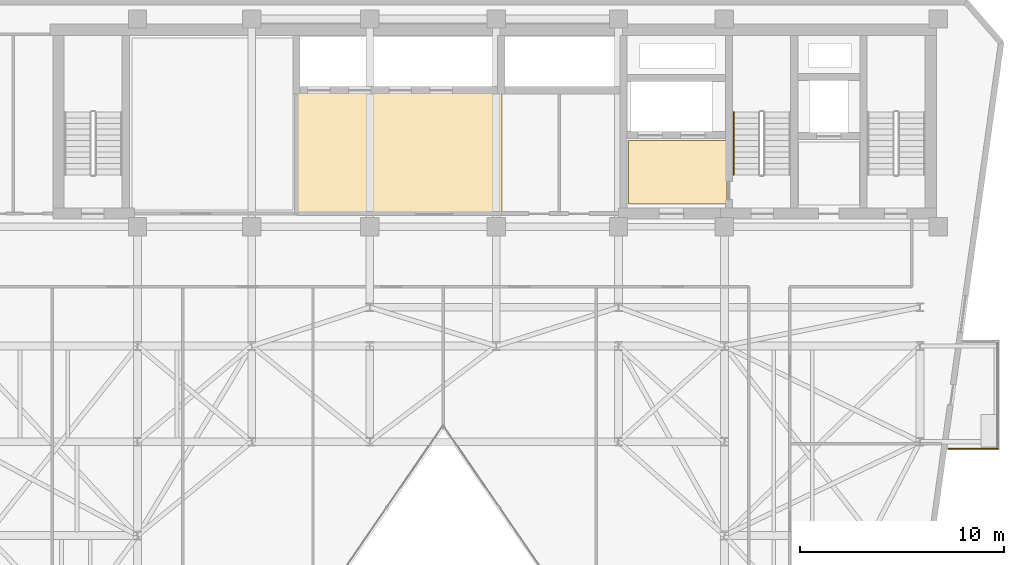
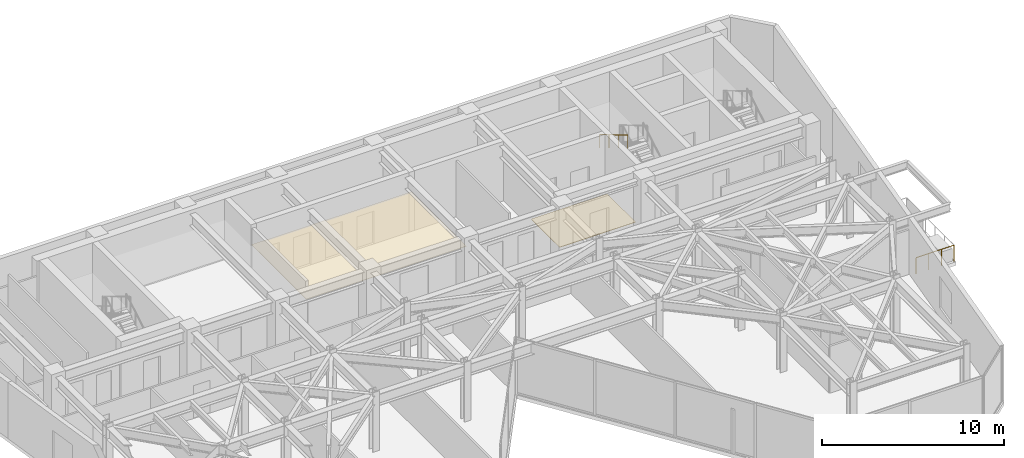
# One storey, part 20 of 21: 2 coverings, 2 railings.
"""IFC4 building model written with IfcOpenShell, lengths in metres."""

from ifc_helpers import new_model, si_unit, direction, frame, origin, origin_2d, place, context, subcontext, project, spatial, polyline, circle, outline, extrude, material, layer, layer_set, type_object, element, save


model = new_model("IFC4")

# Units and contexts
model_context = context("Model", 3, precision=1e-05, world=origin(), true_north=direction((0.0, 1.0)))
body_context = subcontext(model_context, "Body", "Model", "MODEL_VIEW")
ifc_project = project(units=[si_unit("LENGTHUNIT", "METRE"), si_unit("AREAUNIT", "SQUARE_METRE"), si_unit("VOLUMEUNIT", "CUBIC_METRE"), si_unit("PLANEANGLEUNIT", "RADIAN"), si_unit("MASSUNIT", "GRAM", prefix="KILO")], contexts=[model_context])

# Site, building, storey
site_placement = place(None, origin())
site = spatial("IfcSite", under=ifc_project, at=site_placement, CompositionType="ELEMENT")
building_placement = place(site_placement, origin())
building = spatial("IfcBuilding", under=site, at=building_placement, Name="Kravanh Interchange Tower", CompositionType="ELEMENT")
storey_placement = place(building_placement, frame((0.0, 0.0, 184.5)))
storey = spatial("IfcBuildingStorey", under=building, at=storey_placement, Name="L44", CompositionType="ELEMENT", Elevation=184.5)

# Coverings
ifc_material_1 = material(Name="Cementitious Terrazzo Tile")
ifc_layer_1 = layer(ifc_material_1, 0.030029296875)
ifc_layer_set_1 = layer_set([ifc_layer_1], Name="Honed Terrazzo Lobby Flooring 30mm")
covering_type_1 = type_object("IfcCoveringType", Name="Honed Terrazzo Lobby Flooring 30mm", PredefinedType="FLOORING", material=ifc_layer_set_1)
covering_1_placement = place(storey_placement, origin())
element("IfcCovering", 1, at=covering_1_placement, inside=storey, type_object=covering_type_1, Name="L44 Firefighting Lobby Floor Finish", PredefinedType="FLOORING", context=body_context, shape_type="SweptSolid", body=[
    extrude(outline(polyline([(56.1201171875, 38.4599609375), (51.300048828125, 38.4599609375), (51.300048828125, 41.580078125), (56.1201171875, 41.580078125), (56.1201171875, 38.4599609375)])), origin(), (0.0, 0.0, 1.0), 0.030029296875),
])
ifc_material_2 = material(Name="Acoustic Mineral Fibre Tile on Aluminium Grid", Category="aluminium")
ifc_layer_2 = layer(ifc_material_2, 0.02490234375)
ifc_layer_set_2 = layer_set([ifc_layer_2], Name="Perforated Acoustic Mineral Ceiling 25mm")
covering_type_2 = type_object("IfcCoveringType", Name="Perforated Acoustic Mineral Ceiling 25mm", PredefinedType="CEILING", material=ifc_layer_set_2)
covering_2_placement = place(storey_placement, frame((0.0, 0.0, 2.550048828125)))
element("IfcCovering", 2, at=covering_2_placement, inside=storey, type_object=covering_type_2, Name="L44 Mid-Rise Lift Lobby Suspended Ceiling", PredefinedType="CEILING", context=body_context, shape_type="SweptSolid", body=[
    extrude(outline(polyline([(45.090087890625, 37.9599609375), (34.93994140625, 37.9599609375), (34.93994140625, 43.989990234375), (45.090087890625, 43.989990234375), (45.090087890625, 37.9599609375)])), origin(), (0.0, 0.0, 1.0), 0.02490234375),
])

# Railings
ifc_material_3 = material(Name="Stainless Steel 316", Category="steel")
ifc_layer_3 = layer(ifc_material_3, 0.06005859375)
ifc_layer_set_3 = layer_set([ifc_layer_3], Name="Perimeter Balcony and Terrace Guardrail Stainless 316 1120mm")
railing_type_1 = type_object("IfcRailingType", Name="Perimeter Balcony and Terrace Guardrail Stainless 316 1120mm", PredefinedType="GUARDRAIL", material=ifc_layer_set_3)
railing_1_placement = place(storey_placement, frame((69.409912109375, 26.469970703125, 0.0)))
element("IfcRailing", 3, at=railing_1_placement, inside=storey, type_object=railing_type_1, Name="L44 E Balcony Guardrail 2", PredefinedType="GUARDRAIL", context=body_context, shape_type="SweptSolid", body=[
    extrude(circle(Radius=0.02392578125, at=origin_2d()), frame((0.0, 0.0, 1.09619140625), z_axis=(-1.0, 0.0, 0.0), x_axis=(0.0, -1.0, 0.0)), (0.0, 0.0, 1.0), 2.41015625),
    extrude(circle(Radius=0.02099609375, at=origin_2d()), origin(), (0.0, 0.0, 1.0), 1.072021484375),
    extrude(circle(Radius=0.02099609375, at=origin_2d()), frame((-0.803466796875, 0.0, 0.0)), (0.0, 0.0, 1.0), 1.072021484375),
    extrude(circle(Radius=0.02099609375, at=origin_2d()), frame((-1.606689453125, 0.0, 0.0)), (0.0, 0.0, 1.0), 1.072021484375),
    extrude(circle(Radius=0.02099609375, at=origin_2d()), frame((-2.41015625, 0.0, 0.0)), (0.0, 0.0, 1.0), 1.072021484375),
])
ifc_material_4 = material(Name="Stainless Steel 304", Category="steel")
ifc_layer_4 = layer(ifc_material_4, 0.044921875)
ifc_layer_set_4 = layer_set([ifc_layer_4], Name="Tubular Stair Handrail Stainless 304 900mm")
railing_type_2 = type_object("IfcRailingType", Name="Tubular Stair Handrail Stainless 304 900mm", PredefinedType="HANDRAIL", material=ifc_layer_set_4)
railing_2_placement = place(storey_placement, frame((56.449951171875, 42.97998046875, 2.166748046875)))
element("IfcRailing", 4, at=railing_2_placement, inside=storey, type_object=railing_type_2, Name="L44 ST2 stair handrail 2", PredefinedType="HANDRAIL", context=body_context, shape_type="SweptSolid", body=[
    extrude(circle(Radius=0.02392578125, at=origin_2d()), frame((0.0, 0.0, 0.8759765625), z_axis=(0.0, -0.859308565015, 0.511457515432), x_axis=(1.0, 0.0, 0.0)), (0.0, 0.0, 1.0), 3.58447265625),
    extrude(circle(Radius=0.02099609375, at=origin_2d()), origin(), (0.0, 0.0, 1.0), 0.851806640625),
    extrude(circle(Radius=0.02099609375, at=origin_2d()), frame((0.0, -1.026611328125, 0.611083984375)), (0.0, 0.0, 1.0), 0.851806640625),
    extrude(circle(Radius=0.02099609375, at=origin_2d()), frame((0.0, -2.053466796875, 1.22216796875)), (0.0, 0.0, 1.0), 0.851806640625),
    extrude(circle(Radius=0.02099609375, at=origin_2d()), frame((0.0, -3.080078125, 1.833251953125)), (0.0, 0.0, 1.0), 0.851806640625),
])

save(model, "model.ifc")
